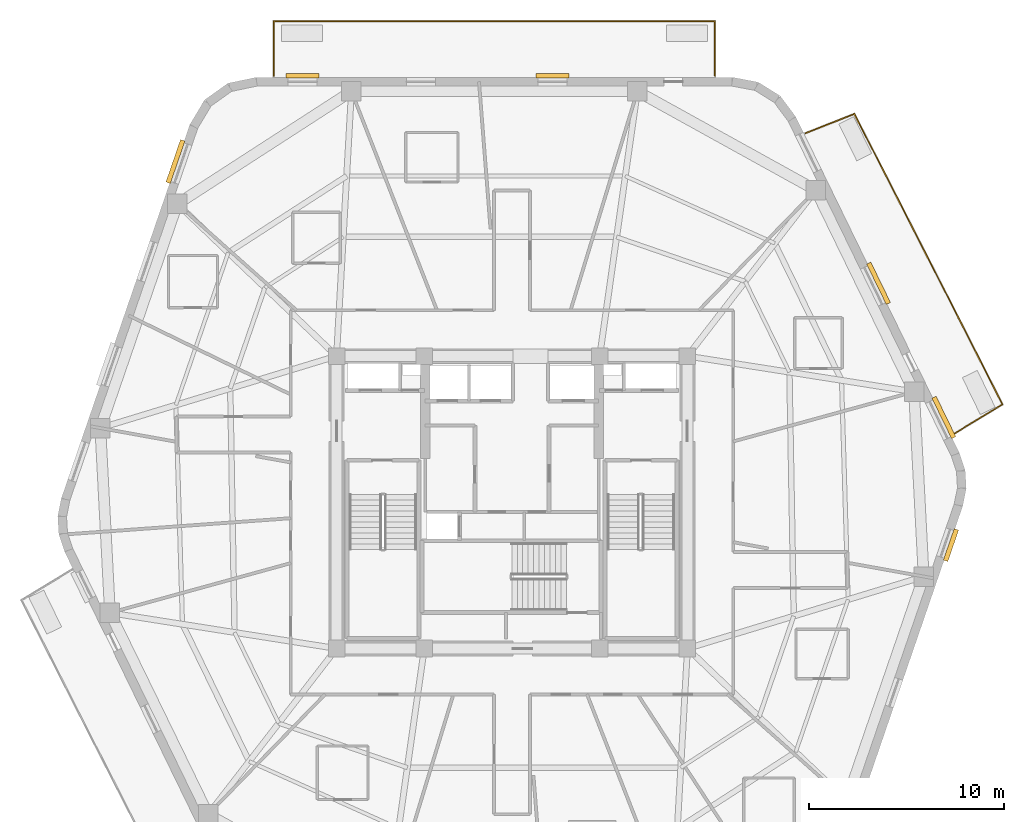
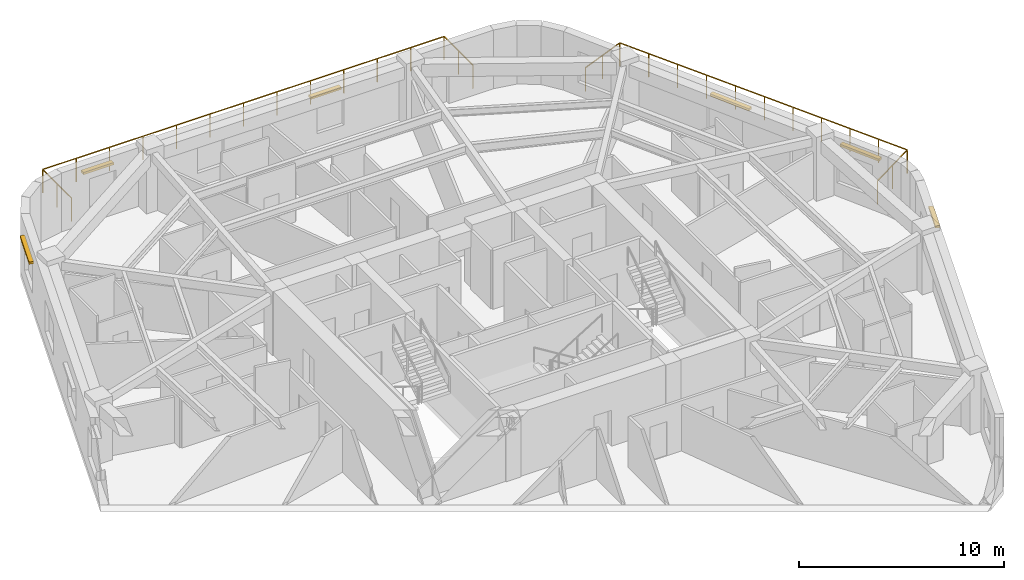
# One storey, part 10 of 10: 6 shading devices, 2 railings.
"""IFC4 building model written with IfcOpenShell, lengths in metres."""

from ifc_helpers import new_model, si_unit, direction, frame, origin, origin_2d, place, context, subcontext, project, spatial, rectangle, extrude, material, layer, layer_set, type_object, element, save


model = new_model("IFC4")

# Units and contexts
model_context = context("Model", 3, precision=1e-05, world=origin(), true_north=direction((0.0, 1.0)))
body_context = subcontext(model_context, "Body", "Model", "MODEL_VIEW")
ifc_project = project(units=[si_unit("LENGTHUNIT", "METRE"), si_unit("AREAUNIT", "SQUARE_METRE"), si_unit("VOLUMEUNIT", "CUBIC_METRE"), si_unit("PLANEANGLEUNIT", "RADIAN"), si_unit("MASSUNIT", "GRAM", prefix="KILO")], contexts=[model_context])

# Site, building, storey
site_placement = place(None, origin())
site = spatial("IfcSite", under=ifc_project, at=site_placement, CompositionType="ELEMENT")
building_placement = place(site_placement, origin())
building = spatial("IfcBuilding", under=site, at=building_placement, Name="Kilnhurst Terrace Hotel", CompositionType="ELEMENT")
storey_placement = place(building_placement, frame((0.0, 0.0, 214.10009765625)))
storey = spatial("IfcBuildingStorey", under=building, at=storey_placement, Name="L53", CompositionType="ELEMENT", Elevation=214.10009765625)

# Railings
ifc_material_1 = material(Name="Laminated SentryGlas and Stainless Steel AISI 316L Balustrade", Category="steel")
ifc_layer_1 = layer(ifc_material_1, 0.070068359375, Name="Laminated SentryGlas and Stainless Steel AISI 316L Balustrade")
ifc_layer_set_1 = layer_set([ifc_layer_1], Name="Laminated SentryGlas and Stainless Steel AISI 316L Balustrade")
railing_type = type_object("IfcRailingType", Name="RLG-BAL-1420", PredefinedType="BALUSTRADE", material=ifc_layer_set_1)
railing_1_placement = place(storey_placement, frame((15.0546875, 18.933349609375, 0.0)))
element("IfcRailing", 1, at=railing_1_placement, inside=storey, type_object=railing_type, Name="L53 Exterior Terrace Guardrail BAL-L1A.1", PredefinedType="BALUSTRADE", context=body_context, shape_type="SweptSolid", body=[
    extrude(rectangle(XDim=0.048095703125, YDim=0.048095703125, at=origin_2d()), frame((0.0, 0.0, 1.39599609375), z_axis=(0.929913162101, 0.367779160574, 0.0), x_axis=(-0.367779160574, 0.929913162101, 0.0)), (0.0, 0.0, 1.0), 2.694580078125),
    extrude(rectangle(XDim=0.048095703125, YDim=0.048095703125, at=origin_2d()), frame((2.505615234375, 0.990966796875, 1.39599609375), z_axis=(0.455129479154, -0.890425267614, 0.0), x_axis=(0.890425267614, 0.455129479154, 0.0)), (0.0, 0.0, 1.0), 8.4072265625),
    extrude(rectangle(XDim=0.048095703125, YDim=0.048095703125, at=origin_2d()), frame((6.33203125, -6.4951171875, 1.39599609375), z_axis=(0.45338853952, -0.891312982196, 0.0), x_axis=(0.891312982196, 0.45338853952, 0.0)), (0.0, 0.0, 1.0), 8.320068359375),
    extrude(rectangle(XDim=0.048095703125, YDim=0.048095703125, at=origin_2d()), frame((10.104248046875, -13.910888671875, 1.39599609375), z_axis=(-0.854990626614, -0.518643450168, 0.0), x_axis=(0.518643450168, -0.854990626614, 0.0)), (0.0, 0.0, 1.0), 3.008056640625),
    extrude(rectangle(XDim=0.0419921875, YDim=0.0419921875, at=origin_2d()), origin(), (0.0, 0.0, 1.0), 1.371826171875),
    extrude(rectangle(XDim=0.0419921875, YDim=0.0419921875, at=origin_2d()), frame((1.2529296875, 0.49560546875, 0.0)), (0.0, 0.0, 1.0), 1.371826171875),
    extrude(rectangle(XDim=0.0419921875, YDim=0.0419921875, at=origin_2d()), frame((2.505615234375, 0.990966796875, 0.0)), (0.0, 0.0, 1.0), 1.371826171875),
    extrude(rectangle(XDim=0.0419921875, YDim=0.0419921875, at=origin_2d()), frame((3.27099609375, -0.50634765625, 0.0)), (0.0, 0.0, 1.0), 1.371826171875),
    extrude(rectangle(XDim=0.0419921875, YDim=0.0419921875, at=origin_2d()), frame((4.0361328125, -2.00341796875, 0.0)), (0.0, 0.0, 1.0), 1.371826171875),
    extrude(rectangle(XDim=0.0419921875, YDim=0.0419921875, at=origin_2d()), frame((4.801513671875, -3.500732421875, 0.0)), (0.0, 0.0, 1.0), 1.371826171875),
    extrude(rectangle(XDim=0.0419921875, YDim=0.0419921875, at=origin_2d()), frame((5.566650390625, -4.997802734375, 0.0)), (0.0, 0.0, 1.0), 1.371826171875),
    extrude(rectangle(XDim=0.0419921875, YDim=0.0419921875, at=origin_2d()), frame((6.33203125, -6.4951171875, 0.0)), (0.0, 0.0, 1.0), 1.371826171875),
    extrude(rectangle(XDim=0.0419921875, YDim=0.0419921875, at=origin_2d()), frame((7.08642578125, -7.978271484375, 0.0)), (0.0, 0.0, 1.0), 1.371826171875),
    extrude(rectangle(XDim=0.0419921875, YDim=0.0419921875, at=origin_2d()), frame((7.8408203125, -9.46142578125, 0.0)), (0.0, 0.0, 1.0), 1.371826171875),
    extrude(rectangle(XDim=0.0419921875, YDim=0.0419921875, at=origin_2d()), frame((8.595458984375, -10.944580078125, 0.0)), (0.0, 0.0, 1.0), 1.371826171875),
    extrude(rectangle(XDim=0.0419921875, YDim=0.0419921875, at=origin_2d()), frame((9.349853515625, -12.427734375, 0.0)), (0.0, 0.0, 1.0), 1.371826171875),
    extrude(rectangle(XDim=0.0419921875, YDim=0.0419921875, at=origin_2d()), frame((10.104248046875, -13.910888671875, 0.0)), (0.0, 0.0, 1.0), 1.371826171875),
    extrude(rectangle(XDim=0.0419921875, YDim=0.0419921875, at=origin_2d()), frame((8.818359375, -14.69091796875, 0.0)), (0.0, 0.0, 1.0), 1.371826171875),
    extrude(rectangle(XDim=0.0419921875, YDim=0.0419921875, at=origin_2d()), frame((7.532470703125, -15.470947265625, 0.0)), (0.0, 0.0, 1.0), 1.371826171875),
])
railing_2_placement = place(storey_placement, frame((-12.21484375, 21.8798828125, 0.0)))
element("IfcRailing", 2, at=railing_2_placement, inside=storey, type_object=railing_type, Name="L53 Exterior Terrace Guardrail BAL-L1B.1", PredefinedType="BALUSTRADE", context=body_context, shape_type="SweptSolid", body=[
    extrude(rectangle(XDim=0.048095703125, YDim=0.048095703125, at=origin_2d()), frame((0.0, 0.0, 1.39599609375), z_axis=(0.0, 1.0, 0.0), x_axis=(-1.0, 0.0, 0.0)), (0.0, 0.0, 1.0), 2.800048828125),
    extrude(rectangle(XDim=0.048095703125, YDim=0.048095703125, at=origin_2d()), frame((0.0, 2.800048828125, 1.39599609375), z_axis=(1.0, 0.0, 0.0), x_axis=(0.0, 1.0, 0.0)), (0.0, 0.0, 1.0), 22.62353515625),
    extrude(rectangle(XDim=0.048095703125, YDim=0.048095703125, at=origin_2d()), frame((22.62353515625, 2.800048828125, 1.39599609375), z_axis=(0.0, -1.0, 0.0), x_axis=(1.0, 0.0, 0.0)), (0.0, 0.0, 1.0), 2.800048828125),
    extrude(rectangle(XDim=0.0419921875, YDim=0.0419921875, at=origin_2d()), origin(), (0.0, 0.0, 1.0), 1.371826171875),
    extrude(rectangle(XDim=0.0419921875, YDim=0.0419921875, at=origin_2d()), frame((0.0, 1.39990234375, 0.0)), (0.0, 0.0, 1.0), 1.371826171875),
    extrude(rectangle(XDim=0.0419921875, YDim=0.0419921875, at=origin_2d()), frame((0.0, 2.800048828125, 0.0)), (0.0, 0.0, 1.0), 1.371826171875),
    extrude(rectangle(XDim=0.0419921875, YDim=0.0419921875, at=origin_2d()), frame((1.88525390625, 2.800048828125, 0.0)), (0.0, 0.0, 1.0), 1.371826171875),
    extrude(rectangle(XDim=0.0419921875, YDim=0.0419921875, at=origin_2d()), frame((3.7705078125, 2.800048828125, 0.0)), (0.0, 0.0, 1.0), 1.371826171875),
    extrude(rectangle(XDim=0.0419921875, YDim=0.0419921875, at=origin_2d()), frame((5.65576171875, 2.800048828125, 0.0)), (0.0, 0.0, 1.0), 1.371826171875),
    extrude(rectangle(XDim=0.0419921875, YDim=0.0419921875, at=origin_2d()), frame((7.541259765625, 2.800048828125, 0.0)), (0.0, 0.0, 1.0), 1.371826171875),
    extrude(rectangle(XDim=0.0419921875, YDim=0.0419921875, at=origin_2d()), frame((9.426513671875, 2.800048828125, 0.0)), (0.0, 0.0, 1.0), 1.371826171875),
    extrude(rectangle(XDim=0.0419921875, YDim=0.0419921875, at=origin_2d()), frame((11.311767578125, 2.800048828125, 0.0)), (0.0, 0.0, 1.0), 1.371826171875),
    extrude(rectangle(XDim=0.0419921875, YDim=0.0419921875, at=origin_2d()), frame((13.197021484375, 2.800048828125, 0.0)), (0.0, 0.0, 1.0), 1.371826171875),
    extrude(rectangle(XDim=0.0419921875, YDim=0.0419921875, at=origin_2d()), frame((15.082275390625, 2.800048828125, 0.0)), (0.0, 0.0, 1.0), 1.371826171875),
    extrude(rectangle(XDim=0.0419921875, YDim=0.0419921875, at=origin_2d()), frame((16.9677734375, 2.800048828125, 0.0)), (0.0, 0.0, 1.0), 1.371826171875),
    extrude(rectangle(XDim=0.0419921875, YDim=0.0419921875, at=origin_2d()), frame((18.85302734375, 2.800048828125, 0.0)), (0.0, 0.0, 1.0), 1.371826171875),
    extrude(rectangle(XDim=0.0419921875, YDim=0.0419921875, at=origin_2d()), frame((20.73828125, 2.800048828125, 0.0)), (0.0, 0.0, 1.0), 1.371826171875),
    extrude(rectangle(XDim=0.0419921875, YDim=0.0419921875, at=origin_2d()), frame((22.62353515625, 2.800048828125, 0.0)), (0.0, 0.0, 1.0), 1.371826171875),
    extrude(rectangle(XDim=0.0419921875, YDim=0.0419921875, at=origin_2d()), frame((22.62353515625, 1.39990234375, 0.0)), (0.0, 0.0, 1.0), 1.371826171875),
    extrude(rectangle(XDim=0.0419921875, YDim=0.0419921875, at=origin_2d()), frame((22.62353515625, 0.0, 0.0)), (0.0, 0.0, 1.0), 1.371826171875),
])

# Shading devices
ifc_material_2 = material(Name="Terracotta Baguette Sunshade on Aluminium Alloy 6063-T6", Category="masonry")
ifc_layer_2 = layer(ifc_material_2, 0.199951171875, Name="Terracotta Baguette Sunshade on Aluminium Alloy 6063-T6")
ifc_layer_set_2 = layer_set([ifc_layer_2], Name="Terracotta Baguette Sunshade on Aluminium Alloy 6063-T6")
shading_device_type = type_object("IfcShadingDeviceType", Name="SHD-SUN-200", PredefinedType="JALOUSIE", material=ifc_layer_set_2)
shading_device_1_placement = place(storey_placement, frame((22.5185546875, -2.193115234375, 2.6298828125), z_axis=(0.0, 0.0, 1.0), x_axis=(0.325089542819, 0.94568323933, 0.0)))
element("IfcShadingDevice", 3, at=shading_device_1_placement, inside=storey, type_object=shading_device_type, Name="L53 Terracotta Window Sunshade F2.3", PredefinedType="JALOUSIE", context=body_context, shape_type="SweptSolid", body=[
    extrude(rectangle(XDim=1.699951171875, YDim=0.239990234375, at=origin_2d()), origin(), (0.0, 0.0, 1.0), 0.139892578125),
])
for number, where, z_axis, x_axis, name in (
    (4, (18.802734375, 11.23486328125, 2.68017578125), (0.0, 0.0, 1.0), (-0.437743563395, 0.899099868038, 0.0), "L53 Terracotta Window Sunshade F3.1"),
    (5, (22.1533203125, 4.353271484375, 2.68017578125), (0.0, 0.0, 1.0), (-0.437743563395, 0.899099868038, 0.0), "L53 Terracotta Window Sunshade F3.3"),
):
    element("IfcShadingDevice", number, at=place(storey_placement, frame(where, z_axis=z_axis, x_axis=x_axis)), inside=storey, type_object=shading_device_type, Name=name, PredefinedType="JALOUSIE", context=body_context, shape_type="SweptSolid", body=[
        extrude(rectangle(XDim=2.300048828125, YDim=0.239990234375, at=origin_2d()), origin(), (0.0, 0.0, 1.0), 0.139892578125),
    ])
for number, where, z_axis, x_axis, name in (
    (6, (2.07861328125, 21.8798828125, 2.6298828125), (0.0, 0.0, 1.0), (-1.0, 0.0, 0.0), "L53 Terracotta Window Sunshade F4.1"),
    (7, (-10.748291015625, 21.8798828125, 2.6298828125), (0.0, 0.0, 1.0), (-1.0, 0.0, 0.0), "L53 Terracotta Window Sunshade F4.3"),
):
    element("IfcShadingDevice", number, at=place(storey_placement, frame(where, z_axis=z_axis, x_axis=x_axis)), inside=storey, type_object=shading_device_type, Name=name, PredefinedType="JALOUSIE", context=body_context, shape_type="SweptSolid", body=[
        extrude(rectangle(XDim=1.699951171875, YDim=0.239990234375, at=origin_2d()), origin(), (0.0, 0.0, 1.0), 0.139892578125),
    ])
shading_device_2_placement = place(storey_placement, frame((-17.263671875, 17.47998046875, 2.68017578125), z_axis=(0.0, 0.0, 1.0), x_axis=(-0.325089542819, -0.94568323933, 0.0)))
element("IfcShadingDevice", 8, at=shading_device_2_placement, inside=storey, type_object=shading_device_type, Name="L53 Terracotta Window Sunshade F5.1", PredefinedType="JALOUSIE", context=body_context, shape_type="SweptSolid", body=[
    extrude(rectangle(XDim=2.300048828125, YDim=0.239990234375, at=origin_2d()), origin(), (0.0, 0.0, 1.0), 0.139892578125),
])

save(model, "model.ifc")
